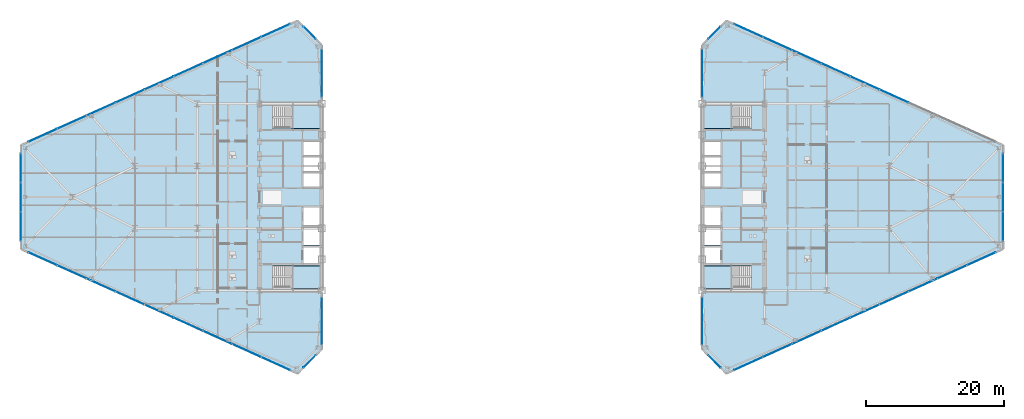
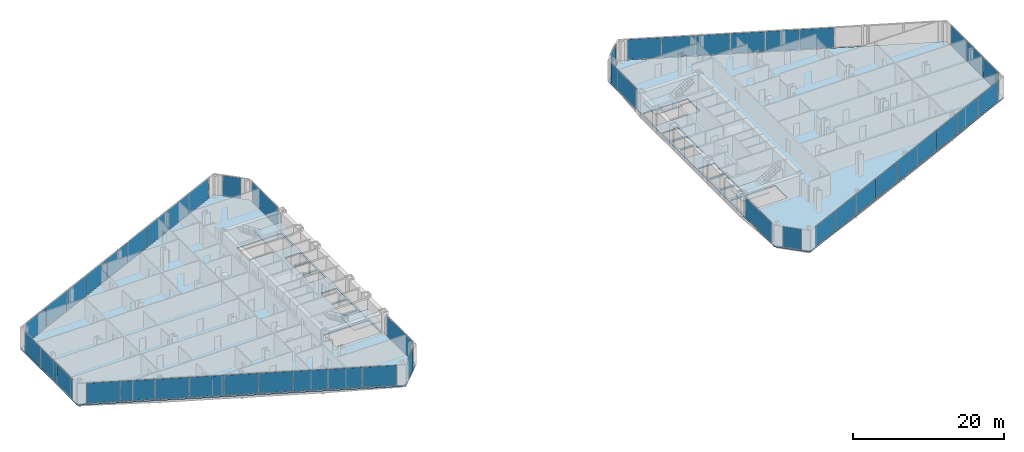
# One storey, part 17 of 27: 47 plates, 6 slabs, 18 elements without a shape of their own.
"""IFC4 building model written with IfcOpenShell, lengths in metres."""

from ifc_helpers import new_model, si_unit, direction, frame, origin, origin_2d, place, context, subcontext, project, spatial, polyline, rectangle, outline, extrude, source, transform, mapped, material, layer, layer_set, type_object, type_shapes, element, aggregate, save


model = new_model("IFC4")

# Units and contexts
model_context = context("Model", 3, precision=1e-05, world=origin(), true_north=direction((0.0, 1.0)))
body_context = subcontext(model_context, "Body", "Model", "MODEL_VIEW")
ifc_project = project(units=[si_unit("LENGTHUNIT", "METRE"), si_unit("AREAUNIT", "SQUARE_METRE"), si_unit("VOLUMEUNIT", "CUBIC_METRE"), si_unit("PLANEANGLEUNIT", "RADIAN"), si_unit("MASSUNIT", "GRAM", prefix="KILO")], contexts=[model_context])

# Site, building, storey
site_placement = place(None, origin())
site = spatial("IfcSite", under=ifc_project, at=site_placement, CompositionType="ELEMENT")
building_placement = place(site_placement, origin())
building = spatial("IfcBuilding", under=site, at=building_placement, Name="Seokmaru Belvedere", CompositionType="ELEMENT")
storey_placement = place(building_placement, frame((0.0, 0.0, 103.199951171875)))
storey = spatial("IfcBuildingStorey", under=building, at=storey_placement, Name="L27", CompositionType="ELEMENT", Elevation=103.199951171875)

# Stair, slab
ifc_material_1 = material(Name="Concrete C40 (40 MPa)", Category="concrete")
stair_type = type_object("IfcStairType", Name="Typical Tower Core Dog-Leg Stair 3600", PredefinedType="TWO_STRAIGHT_RUN_STAIR", material=ifc_material_1)
stair_1_placement = place(storey_placement, origin())
stair_1 = element("IfcStair", 1, at=stair_1_placement, inside=storey, type_object=stair_type, Name="L27 Special Escape Stair ST-W1", PredefinedType="TWO_STRAIGHT_RUN_STAIR")
ifc_layer_1 = layer(ifc_material_1, 0.199951171875)
ifc_layer_set_1 = layer_set([ifc_layer_1], Name="Concrete C40 (40 MPa)")
slab_type_1 = type_object("IfcSlabType", Name="Reinforced Concrete Stair Landing Slab 200", PredefinedType="LANDING", material=ifc_layer_set_1)
slab_1_placement = place(storey_placement, frame((0.0, 0.0, 1.60009765625)))
slab_1 = element("IfcSlab", 2, at=slab_1_placement, type_object=slab_type_1, Name="ST-W1 landing 1", PredefinedType="LANDING", context=body_context, shape_type="SweptSolid", body=[
    extrude(outline(polyline([(-31.8798828125, -13.239990234375), (-27.760009765625, -13.239990234375), (-27.760009765625, -9.949951171875), (-31.8798828125, -9.949951171875), (-31.8798828125, -13.239990234375)])), origin(), (0.0, 0.0, 1.0), 0.199951171875),
])
aggregate(stair_1, [slab_1])

stair_2_placement = place(storey_placement, origin())
stair_2 = element("IfcStair", 3, at=stair_2_placement, inside=storey, type_object=stair_type, Name="L27 Special Escape Stair ST-W2", PredefinedType="TWO_STRAIGHT_RUN_STAIR")
slab_2_placement = place(storey_placement, frame((0.0, 0.0, 1.60009765625)))
slab_2 = element("IfcSlab", 4, at=slab_2_placement, type_object=slab_type_1, Name="ST-W2 landing 1", PredefinedType="LANDING", context=body_context, shape_type="SweptSolid", body=[
    extrude(outline(polyline([(-31.8798828125, 9.949951171875), (-27.760009765625, 9.949951171875), (-27.760009765625, 13.239990234375), (-31.8798828125, 13.239990234375), (-31.8798828125, 9.949951171875)])), origin(), (0.0, 0.0, 1.0), 0.199951171875),
])
aggregate(stair_2, [slab_2])

stair_3_placement = place(storey_placement, origin())
stair_3 = element("IfcStair", 5, at=stair_3_placement, inside=storey, type_object=stair_type, Name="L27 Special Escape Stair ST-E1", PredefinedType="TWO_STRAIGHT_RUN_STAIR")
slab_3_placement = place(storey_placement, frame((0.0, 0.0, 1.60009765625)))
slab_3 = element("IfcSlab", 6, at=slab_3_placement, type_object=slab_type_1, Name="ST-E1 landing 1", PredefinedType="LANDING", context=body_context, shape_type="SweptSolid", body=[
    extrude(outline(polyline([(27.760009765625, -13.239990234375), (31.8798828125, -13.239990234375), (31.8798828125, -9.949951171875), (27.760009765625, -9.949951171875), (27.760009765625, -13.239990234375)])), origin(), (0.0, 0.0, 1.0), 0.199951171875),
])
aggregate(stair_3, [slab_3])

stair_4_placement = place(storey_placement, origin())
stair_4 = element("IfcStair", 7, at=stair_4_placement, inside=storey, type_object=stair_type, Name="L27 Special Escape Stair ST-E2", PredefinedType="TWO_STRAIGHT_RUN_STAIR")
slab_4_placement = place(storey_placement, frame((0.0, 0.0, 1.60009765625)))
slab_4 = element("IfcSlab", 8, at=slab_4_placement, type_object=slab_type_1, Name="ST-E2 landing 1", PredefinedType="LANDING", context=body_context, shape_type="SweptSolid", body=[
    extrude(outline(polyline([(27.760009765625, 9.949951171875), (31.8798828125, 9.949951171875), (31.8798828125, 13.239990234375), (27.760009765625, 13.239990234375), (27.760009765625, 9.949951171875)])), origin(), (0.0, 0.0, 1.0), 0.199951171875),
])
aggregate(stair_4, [slab_4])

# Slabs
ifc_layer_2 = layer(ifc_material_1, 0.219970703125)
ifc_layer_set_2 = layer_set([ifc_layer_2], Name="Concrete C40 (40 MPa)")
slab_type_2 = type_object("IfcSlabType", Name="Typical Tower Composite Floor Slab 220", PredefinedType="FLOOR", material=ifc_layer_set_2)
slab_5_placement = place(storey_placement, frame((0.0, 0.0, -0.219970703125)))
element("IfcSlab", 9, at=slab_5_placement, inside=storey, type_object=slab_type_2, Name="L27 West Leg Floor Slab", PredefinedType="FLOOR", context=body_context, shape_type="SweptSolid", body=[
    extrude(outline(polyline([(-27.5, -22.0), (-27.5, 22.0), (-31.0, 25.5), (-71.0, 7.5), (-71.0, -7.5), (-31.0, -25.5), (-27.5, -22.0)]), holes=[polyline([(-34.60009765625, -13.25), (-27.75, -13.25), (-27.75, -9.949951171875), (-34.60009765625, -9.949951171875), (-34.60009765625, -13.25)]), polyline([(-34.60009765625, 9.949951171875), (-27.75, 9.949951171875), (-27.75, 13.25), (-34.60009765625, 13.25), (-34.60009765625, 9.949951171875)]), polyline([(-30.14990234375, -9.550048828125), (-27.75, -9.550048828125), (-27.75, -7.25), (-30.14990234375, -7.25), (-30.14990234375, -9.550048828125)]), polyline([(-30.14990234375, -6.949951171875), (-27.75, -6.949951171875), (-27.75, -4.35009765625), (-30.14990234375, -4.35009765625), (-30.14990234375, -6.949951171875)]), polyline([(-30.14990234375, -4.050048828125), (-27.75, -4.050048828125), (-27.75, -1.449951171875), (-30.14990234375, -1.449951171875), (-30.14990234375, -4.050048828125)]), polyline([(-30.14990234375, 1.449951171875), (-27.75, 1.449951171875), (-27.75, 3.449951171875), (-30.14990234375, 3.449951171875), (-30.14990234375, 1.449951171875)]), polyline([(-30.14990234375, 3.75), (-27.75, 3.75), (-27.75, 5.75), (-30.14990234375, 5.75), (-30.14990234375, 3.75)]), polyline([(-30.14990234375, 6.050048828125), (-27.75, 6.050048828125), (-27.75, 8.050048828125), (-30.14990234375, 8.050048828125), (-30.14990234375, 6.050048828125)])]), origin(), (0.0, 0.0, 1.0), 0.219970703125),
])
slab_6_placement = place(storey_placement, frame((0.0, 0.0, -0.219970703125)))
element("IfcSlab", 10, at=slab_6_placement, inside=storey, type_object=slab_type_2, Name="L27 East Leg Floor Slab", PredefinedType="FLOOR", context=body_context, shape_type="SweptSolid", body=[
    extrude(outline(polyline([(31.0, -25.5), (71.0, -7.5), (71.0, 7.5), (31.0, 25.5), (27.5, 22.0), (27.5, -22.0), (31.0, -25.5)]), holes=[polyline([(27.75, -13.25), (34.60009765625, -13.25), (34.60009765625, -9.949951171875), (27.75, -9.949951171875), (27.75, -13.25)]), polyline([(27.75, 9.949951171875), (34.60009765625, 9.949951171875), (34.60009765625, 13.25), (27.75, 13.25), (27.75, 9.949951171875)]), polyline([(27.75, -9.550048828125), (30.14990234375, -9.550048828125), (30.14990234375, -7.25), (27.75, -7.25), (27.75, -9.550048828125)]), polyline([(27.75, -6.949951171875), (30.14990234375, -6.949951171875), (30.14990234375, -4.35009765625), (27.75, -4.35009765625), (27.75, -6.949951171875)]), polyline([(27.75, -4.050048828125), (30.14990234375, -4.050048828125), (30.14990234375, -1.449951171875), (27.75, -1.449951171875), (27.75, -4.050048828125)]), polyline([(27.75, 1.449951171875), (30.14990234375, 1.449951171875), (30.14990234375, 3.449951171875), (27.75, 3.449951171875), (27.75, 1.449951171875)]), polyline([(27.75, 3.75), (30.14990234375, 3.75), (30.14990234375, 5.75), (27.75, 5.75), (27.75, 3.75)]), polyline([(27.75, 6.050048828125), (30.14990234375, 6.050048828125), (30.14990234375, 8.050048828125), (27.75, 8.050048828125), (27.75, 6.050048828125)])]), origin(), (0.0, 0.0, 1.0), 0.219970703125),
])

# Curtain wall, plate
ifc_material_2 = material(Name="Bronze Triple Insulating Glass", Category="glass")
ifc_layer_3 = layer(ifc_material_2, 0.195068359375)
ifc_layer_set_3 = layer_set([ifc_layer_3], Name="Bronze Triple Insulating Glass")
curtain_wall_type = type_object("IfcCurtainWallType", Name="Lower-Mid Tapered Curtain Wall System CW-3", PredefinedType="NOTDEFINED", material=ifc_layer_set_3)
curtain_wall_1_placement = place(storey_placement, origin())
curtain_wall_1 = element("IfcCurtainWall", 11, at=curtain_wall_1_placement, inside=storey, type_object=curtain_wall_type, Name="L27 Curtain Wall WSP_1", PredefinedType="NOTDEFINED")
ifc_layer_4 = layer(ifc_material_2, 0.035888671875)
ifc_layer_set_4 = layer_set([ifc_layer_4], Name="Bronze Triple Insulating Glass")
plate_type = type_object("IfcPlateType", Name="Bronze Triple Vision Glazing Panel 36", PredefinedType="CURTAIN_PANEL", material=ifc_layer_set_4)
shared_shape_1 = source(origin(), body_context, "Body", "SweptSolid", [
    extrude(rectangle(XDim=6.909912109375, YDim=0.035888671875, at=origin_2d()), origin(), (0.0, 0.0, 1.0), 3.239990234375),
])
plate_1_placement = place(storey_placement, frame((-27.5, -17.905029296875, 0.06982421875), z_axis=(0.0, 0.0, 1.0), x_axis=(0.0, 1.0, 0.0)))
plate_1 = element("IfcPlate", 12, at=plate_1_placement, type_object=plate_type, Name="CW:L27:WSP_1 Glazing Panel 1-1", PredefinedType="CURTAIN_PANEL", context=body_context, shape_type="MappedRepresentation", body=[
    mapped(shared_shape_1, transform((0.0, 0.0, 0.0), scale=1.0)),
])
aggregate(curtain_wall_1, [plate_1])

curtain_wall_2_placement = place(storey_placement, origin())
curtain_wall_2 = element("IfcCurtainWall", 13, at=curtain_wall_2_placement, inside=storey, type_object=curtain_wall_type, Name="L27 Curtain Wall WSP_2", PredefinedType="NOTDEFINED")
plate_2_placement = place(storey_placement, frame((-27.5, 17.905029296875, 0.06982421875), z_axis=(0.0, 0.0, 1.0), x_axis=(0.0, 1.0, 0.0)))
plate_2 = element("IfcPlate", 14, at=plate_2_placement, type_object=plate_type, Name="CW:L27:WSP_2 Glazing Panel 1-1", PredefinedType="CURTAIN_PANEL", context=body_context, shape_type="MappedRepresentation", body=[
    mapped(shared_shape_1, transform((0.0, 0.0, 0.0), scale=1.0)),
])
aggregate(curtain_wall_2, [plate_2])

curtain_wall_3_placement = place(storey_placement, origin())
curtain_wall_3 = element("IfcCurtainWall", 15, at=curtain_wall_3_placement, inside=storey, type_object=curtain_wall_type, Name="L27 Curtain Wall ESP_1", PredefinedType="NOTDEFINED")
plate_3_placement = place(storey_placement, frame((27.5, -17.905029296875, 0.06982421875), z_axis=(0.0, 0.0, 1.0), x_axis=(0.0, -1.0, 0.0)))
plate_3 = element("IfcPlate", 16, at=plate_3_placement, type_object=plate_type, Name="CW:L27:ESP_1 Glazing Panel 1-1", PredefinedType="CURTAIN_PANEL", context=body_context, shape_type="MappedRepresentation", body=[
    mapped(shared_shape_1, transform((0.0, 0.0, 0.0), scale=1.0)),
])
aggregate(curtain_wall_3, [plate_3])

curtain_wall_4_placement = place(storey_placement, origin())
curtain_wall_4 = element("IfcCurtainWall", 17, at=curtain_wall_4_placement, inside=storey, type_object=curtain_wall_type, Name="L27 Curtain Wall ESP_2", PredefinedType="NOTDEFINED")
plate_4_placement = place(storey_placement, frame((27.5, 17.905029296875, 0.06982421875), z_axis=(0.0, 0.0, 1.0), x_axis=(0.0, -1.0, 0.0)))
plate_4 = element("IfcPlate", 18, at=plate_4_placement, type_object=plate_type, Name="CW:L27:ESP_2 Glazing Panel 1-1", PredefinedType="CURTAIN_PANEL", context=body_context, shape_type="MappedRepresentation", body=[
    mapped(shared_shape_1, transform((0.0, 0.0, 0.0), scale=1.0)),
])
aggregate(curtain_wall_4, [plate_4])

curtain_wall_5_placement = place(storey_placement, origin())
curtain_wall_5 = element("IfcCurtainWall", 19, at=curtain_wall_5_placement, inside=storey, type_object=curtain_wall_type, Name="L27 Curtain Wall WF2", PredefinedType="NOTDEFINED")
shared_shape_2 = source(origin(), body_context, "Body", "SweptSolid", [
    extrude(rectangle(XDim=2.509765625, YDim=0.035888671875, at=origin_2d()), origin(), (0.0, 0.0, 1.0), 3.239990234375),
])
plate_5_placement = place(storey_placement, frame((-29.25, 23.75, 0.06982421875), z_axis=(0.0, 0.0, 1.0), x_axis=(-0.707106781187, 0.707106781187, 0.0)))
plate_5 = element("IfcPlate", 20, at=plate_5_placement, type_object=plate_type, Name="CW:L27:WF2 Glazing Panel 1-1", PredefinedType="CURTAIN_PANEL", context=body_context, shape_type="MappedRepresentation", body=[
    mapped(shared_shape_2, transform((0.0, 0.0, 0.0), scale=1.0)),
])
aggregate(curtain_wall_5, [plate_5])

curtain_wall_6_placement = place(storey_placement, origin())
curtain_wall_6 = element("IfcCurtainWall", 21, at=curtain_wall_6_placement, inside=storey, type_object=curtain_wall_type, Name="L27 Curtain Wall WF6", PredefinedType="NOTDEFINED")
plate_6_placement = place(storey_placement, frame((-29.25, -23.75, 0.06982421875), z_axis=(0.0, 0.0, 1.0), x_axis=(0.707106781187, 0.707106781187, 0.0)))
plate_6 = element("IfcPlate", 22, at=plate_6_placement, type_object=plate_type, Name="CW:L27:WF6 Glazing Panel 1-1", PredefinedType="CURTAIN_PANEL", context=body_context, shape_type="MappedRepresentation", body=[
    mapped(shared_shape_2, transform((0.0, 0.0, 0.0), scale=1.0)),
])
aggregate(curtain_wall_6, [plate_6])

curtain_wall_7_placement = place(storey_placement, origin())
curtain_wall_7 = element("IfcCurtainWall", 23, at=curtain_wall_7_placement, inside=storey, type_object=curtain_wall_type, Name="L27 Curtain Wall EF4", PredefinedType="NOTDEFINED")
plate_7_placement = place(storey_placement, frame((29.25, 23.75, 0.06982421875), z_axis=(0.0, 0.0, 1.0), x_axis=(-0.707106781187, -0.707106781187, 0.0)))
plate_7 = element("IfcPlate", 24, at=plate_7_placement, type_object=plate_type, Name="CW:L27:EF4 Glazing Panel 1-1", PredefinedType="CURTAIN_PANEL", context=body_context, shape_type="MappedRepresentation", body=[
    mapped(shared_shape_2, transform((0.0, 0.0, 0.0), scale=1.0)),
])
aggregate(curtain_wall_7, [plate_7])

curtain_wall_8_placement = place(storey_placement, origin())
curtain_wall_8 = element("IfcCurtainWall", 25, at=curtain_wall_8_placement, inside=storey, type_object=curtain_wall_type, Name="L27 Curtain Wall EF6", PredefinedType="NOTDEFINED")
plate_8_placement = place(storey_placement, frame((29.25, -23.75, 0.06982421875), z_axis=(0.0, 0.0, 1.0), x_axis=(0.707106781187, -0.707106781187, 0.0)))
plate_8 = element("IfcPlate", 26, at=plate_8_placement, type_object=plate_type, Name="CW:L27:EF6 Glazing Panel 1-1", PredefinedType="CURTAIN_PANEL", context=body_context, shape_type="MappedRepresentation", body=[
    mapped(shared_shape_2, transform((0.0, 0.0, 0.0), scale=1.0)),
])
aggregate(curtain_wall_8, [plate_8])

# Curtain wall, plates
curtain_wall_9_placement = place(storey_placement, origin())
curtain_wall_9 = element("IfcCurtainWall", 27, at=curtain_wall_9_placement, inside=storey, type_object=curtain_wall_type, Name="L27 Curtain Wall WF3", PredefinedType="NOTDEFINED")
shared_shape_3 = source(origin(), body_context, "Body", "SweptSolid", [
    extrude(rectangle(XDim=4.51318359375, YDim=0.035888671875, at=origin_2d()), origin(), (0.0, 0.0, 1.0), 3.239990234375),
])
plate_9_placement = place(storey_placement, frame((-34.17041015625, 24.073486328125, 0.06982421875), z_axis=(0.0, 0.0, 1.0), x_axis=(-0.91192111353, -0.41036554765, 0.0)))
plate_9 = element("IfcPlate", 28, at=plate_9_placement, type_object=plate_type, Name="CW:L27:WF3 Glazing Panel 1-1", PredefinedType="CURTAIN_PANEL", context=body_context, shape_type="MappedRepresentation", body=[
    mapped(shared_shape_3, transform((0.0, 0.0, 0.0), scale=1.0)),
])
plate_10_placement = place(storey_placement, frame((-67.82958984375, 8.926513671875, 0.06982421875), z_axis=(0.0, 0.0, 1.0), x_axis=(-0.91192111353, -0.41036554765, 0.0)))
plate_10 = element("IfcPlate", 29, at=plate_10_placement, type_object=plate_type, Name="CW:L27:WF3 Glazing Panel 9-1", PredefinedType="CURTAIN_PANEL", context=body_context, shape_type="MappedRepresentation", body=[
    mapped(shared_shape_3, transform((0.0, 0.0, 0.0), scale=1.0)),
])

curtain_wall_10_placement = place(storey_placement, origin())
curtain_wall_10 = element("IfcCurtainWall", 30, at=curtain_wall_10_placement, inside=storey, type_object=curtain_wall_type, Name="L27 Curtain Wall WF5", PredefinedType="NOTDEFINED")
plate_11_placement = place(storey_placement, frame((-67.82958984375, -8.926513671875, 0.06982421875), z_axis=(0.0, 0.0, 1.0), x_axis=(0.91192111353, -0.41036554765, 0.0)))
plate_11 = element("IfcPlate", 31, at=plate_11_placement, type_object=plate_type, Name="CW:L27:WF5 Glazing Panel 1-1", PredefinedType="CURTAIN_PANEL", context=body_context, shape_type="MappedRepresentation", body=[
    mapped(shared_shape_3, transform((0.0, 0.0, 0.0), scale=1.0)),
])
plate_12_placement = place(storey_placement, frame((-34.17041015625, -24.073486328125, 0.06982421875), z_axis=(0.0, 0.0, 1.0), x_axis=(0.91192111353, -0.41036554765, 0.0)))
plate_12 = element("IfcPlate", 32, at=plate_12_placement, type_object=plate_type, Name="CW:L27:WF5 Glazing Panel 9-1", PredefinedType="CURTAIN_PANEL", context=body_context, shape_type="MappedRepresentation", body=[
    mapped(shared_shape_3, transform((0.0, 0.0, 0.0), scale=1.0)),
])

curtain_wall_11_placement = place(storey_placement, origin())
curtain_wall_11 = element("IfcCurtainWall", 33, at=curtain_wall_11_placement, inside=storey, type_object=curtain_wall_type, Name="L27 Curtain Wall EF1", PredefinedType="NOTDEFINED")
plate_13_placement = place(storey_placement, frame((34.17041015625, -24.073486328125, 0.06982421875), z_axis=(0.0, 0.0, 1.0), x_axis=(0.91192111353, 0.41036554765, 0.0)))
plate_13 = element("IfcPlate", 34, at=plate_13_placement, type_object=plate_type, Name="CW:L27:EF1 Glazing Panel 1-1", PredefinedType="CURTAIN_PANEL", context=body_context, shape_type="MappedRepresentation", body=[
    mapped(shared_shape_3, transform((0.0, 0.0, 0.0), scale=1.0)),
])
plate_14_placement = place(storey_placement, frame((67.82958984375, -8.926513671875, 0.06982421875), z_axis=(0.0, 0.0, 1.0), x_axis=(0.91192111353, 0.41036554765, 0.0)))
plate_14 = element("IfcPlate", 35, at=plate_14_placement, type_object=plate_type, Name="CW:L27:EF1 Glazing Panel 9-1", PredefinedType="CURTAIN_PANEL", context=body_context, shape_type="MappedRepresentation", body=[
    mapped(shared_shape_3, transform((0.0, 0.0, 0.0), scale=1.0)),
])

# Curtain wall, plate
curtain_wall_12_placement = place(storey_placement, origin())
curtain_wall_12 = element("IfcCurtainWall", 36, at=curtain_wall_12_placement, inside=storey, type_object=curtain_wall_type, Name="L27 Curtain Wall EF3", PredefinedType="NOTDEFINED")
plate_15_placement = place(storey_placement, frame((34.17041015625, 24.073486328125, 0.06982421875), z_axis=(0.0, 0.0, 1.0), x_axis=(-0.91192111353, 0.41036554765, 0.0)))
plate_15 = element("IfcPlate", 37, at=plate_15_placement, type_object=plate_type, Name="CW:L27:EF3 Glazing Panel 9-1", PredefinedType="CURTAIN_PANEL", context=body_context, shape_type="MappedRepresentation", body=[
    mapped(shared_shape_3, transform((0.0, 0.0, 0.0), scale=1.0)),
])

# Plate
shared_shape_4 = source(origin(), body_context, "Body", "SweptSolid", [
    extrude(rectangle(XDim=4.548095703125, YDim=0.035888671875, at=origin_2d()), origin(), (0.0, 0.0, 1.0), 3.239990234375),
])
plate_16_placement = place(storey_placement, frame((-38.36572265625, 22.185302734375, 0.06982421875), z_axis=(0.0, 0.0, 1.0), x_axis=(-0.91192111353, -0.41036554765, 0.0)))
plate_16 = element("IfcPlate", 38, at=plate_16_placement, type_object=plate_type, Name="CW:L27:WF3 Glazing Panel 2-1", PredefinedType="CURTAIN_PANEL", context=body_context, shape_type="MappedRepresentation", body=[
    mapped(shared_shape_4, transform((0.0, 0.0, 0.0), scale=1.0)),
])

plate_17_placement = place(storey_placement, frame((-42.5771484375, 20.290283203125, 0.06982421875), z_axis=(0.0, 0.0, 1.0), x_axis=(-0.91192111353, -0.41036554765, 0.0)))
plate_17 = element("IfcPlate", 39, at=plate_17_placement, type_object=plate_type, Name="CW:L27:WF3 Glazing Panel 3-1", PredefinedType="CURTAIN_PANEL", context=body_context, shape_type="MappedRepresentation", body=[
    mapped(shared_shape_4, transform((0.0, 0.0, 0.0), scale=1.0)),
])

plate_18_placement = place(storey_placement, frame((-46.78857421875, 18.39501953125, 0.06982421875), z_axis=(0.0, 0.0, 1.0), x_axis=(-0.91192111353, -0.41036554765, 0.0)))
plate_18 = element("IfcPlate", 40, at=plate_18_placement, type_object=plate_type, Name="CW:L27:WF3 Glazing Panel 4-1", PredefinedType="CURTAIN_PANEL", context=body_context, shape_type="MappedRepresentation", body=[
    mapped(shared_shape_4, transform((0.0, 0.0, 0.0), scale=1.0)),
])

plate_19_placement = place(storey_placement, frame((-51.0, 16.5, 0.06982421875), z_axis=(0.0, 0.0, 1.0), x_axis=(-0.91192111353, -0.41036554765, 0.0)))
plate_19 = element("IfcPlate", 41, at=plate_19_placement, type_object=plate_type, Name="CW:L27:WF3 Glazing Panel 5-1", PredefinedType="CURTAIN_PANEL", context=body_context, shape_type="MappedRepresentation", body=[
    mapped(shared_shape_4, transform((0.0, 0.0, 0.0), scale=1.0)),
])

plate_20_placement = place(storey_placement, frame((-55.21142578125, 14.60498046875, 0.06982421875), z_axis=(0.0, 0.0, 1.0), x_axis=(-0.91192111353, -0.41036554765, 0.0)))
plate_20 = element("IfcPlate", 42, at=plate_20_placement, type_object=plate_type, Name="CW:L27:WF3 Glazing Panel 6-1", PredefinedType="CURTAIN_PANEL", context=body_context, shape_type="MappedRepresentation", body=[
    mapped(shared_shape_4, transform((0.0, 0.0, 0.0), scale=1.0)),
])

plate_21_placement = place(storey_placement, frame((-59.4228515625, 12.709716796875, 0.06982421875), z_axis=(0.0, 0.0, 1.0), x_axis=(-0.91192111353, -0.41036554765, 0.0)))
plate_21 = element("IfcPlate", 43, at=plate_21_placement, type_object=plate_type, Name="CW:L27:WF3 Glazing Panel 7-1", PredefinedType="CURTAIN_PANEL", context=body_context, shape_type="MappedRepresentation", body=[
    mapped(shared_shape_4, transform((0.0, 0.0, 0.0), scale=1.0)),
])

plate_22_placement = place(storey_placement, frame((-63.63427734375, 10.814697265625, 0.06982421875), z_axis=(0.0, 0.0, 1.0), x_axis=(-0.91192111353, -0.41036554765, 0.0)))
plate_22 = element("IfcPlate", 44, at=plate_22_placement, type_object=plate_type, Name="CW:L27:WF3 Glazing Panel 8-1", PredefinedType="CURTAIN_PANEL", context=body_context, shape_type="MappedRepresentation", body=[
    mapped(shared_shape_4, transform((0.0, 0.0, 0.0), scale=1.0)),
])

aggregate(curtain_wall_9, [plate_9, plate_16, plate_17, plate_18, plate_19, plate_20, plate_21, plate_22, plate_10])

plate_23_placement = place(storey_placement, frame((-63.63427734375, -10.814697265625, 0.06982421875), z_axis=(0.0, 0.0, 1.0), x_axis=(0.91192111353, -0.41036554765, 0.0)))
plate_23 = element("IfcPlate", 45, at=plate_23_placement, type_object=plate_type, Name="CW:L27:WF5 Glazing Panel 2-1", PredefinedType="CURTAIN_PANEL", context=body_context, shape_type="MappedRepresentation", body=[
    mapped(shared_shape_4, transform((0.0, 0.0, 0.0), scale=1.0)),
])

plate_24_placement = place(storey_placement, frame((-59.4228515625, -12.709716796875, 0.06982421875), z_axis=(0.0, 0.0, 1.0), x_axis=(0.91192111353, -0.41036554765, 0.0)))
plate_24 = element("IfcPlate", 46, at=plate_24_placement, type_object=plate_type, Name="CW:L27:WF5 Glazing Panel 3-1", PredefinedType="CURTAIN_PANEL", context=body_context, shape_type="MappedRepresentation", body=[
    mapped(shared_shape_4, transform((0.0, 0.0, 0.0), scale=1.0)),
])

plate_25_placement = place(storey_placement, frame((-55.21142578125, -14.60498046875, 0.06982421875), z_axis=(0.0, 0.0, 1.0), x_axis=(0.91192111353, -0.41036554765, 0.0)))
plate_25 = element("IfcPlate", 47, at=plate_25_placement, type_object=plate_type, Name="CW:L27:WF5 Glazing Panel 4-1", PredefinedType="CURTAIN_PANEL", context=body_context, shape_type="MappedRepresentation", body=[
    mapped(shared_shape_4, transform((0.0, 0.0, 0.0), scale=1.0)),
])

plate_26_placement = place(storey_placement, frame((-51.0, -16.5, 0.06982421875), z_axis=(0.0, 0.0, 1.0), x_axis=(0.91192111353, -0.41036554765, 0.0)))
plate_26 = element("IfcPlate", 48, at=plate_26_placement, type_object=plate_type, Name="CW:L27:WF5 Glazing Panel 5-1", PredefinedType="CURTAIN_PANEL", context=body_context, shape_type="MappedRepresentation", body=[
    mapped(shared_shape_4, transform((0.0, 0.0, 0.0), scale=1.0)),
])

plate_27_placement = place(storey_placement, frame((-46.78857421875, -18.39501953125, 0.06982421875), z_axis=(0.0, 0.0, 1.0), x_axis=(0.91192111353, -0.41036554765, 0.0)))
plate_27 = element("IfcPlate", 49, at=plate_27_placement, type_object=plate_type, Name="CW:L27:WF5 Glazing Panel 6-1", PredefinedType="CURTAIN_PANEL", context=body_context, shape_type="MappedRepresentation", body=[
    mapped(shared_shape_4, transform((0.0, 0.0, 0.0), scale=1.0)),
])

plate_28_placement = place(storey_placement, frame((-42.5771484375, -20.290283203125, 0.06982421875), z_axis=(0.0, 0.0, 1.0), x_axis=(0.91192111353, -0.41036554765, 0.0)))
plate_28 = element("IfcPlate", 50, at=plate_28_placement, type_object=plate_type, Name="CW:L27:WF5 Glazing Panel 7-1", PredefinedType="CURTAIN_PANEL", context=body_context, shape_type="MappedRepresentation", body=[
    mapped(shared_shape_4, transform((0.0, 0.0, 0.0), scale=1.0)),
])

plate_29_placement = place(storey_placement, frame((-38.36572265625, -22.185302734375, 0.06982421875), z_axis=(0.0, 0.0, 1.0), x_axis=(0.91192111353, -0.41036554765, 0.0)))
plate_29 = element("IfcPlate", 51, at=plate_29_placement, type_object=plate_type, Name="CW:L27:WF5 Glazing Panel 8-1", PredefinedType="CURTAIN_PANEL", context=body_context, shape_type="MappedRepresentation", body=[
    mapped(shared_shape_4, transform((0.0, 0.0, 0.0), scale=1.0)),
])

aggregate(curtain_wall_10, [plate_11, plate_23, plate_24, plate_25, plate_26, plate_27, plate_28, plate_29, plate_12])

plate_30_placement = place(storey_placement, frame((38.36572265625, -22.185302734375, 0.06982421875), z_axis=(0.0, 0.0, 1.0), x_axis=(0.91192111353, 0.41036554765, 0.0)))
plate_30 = element("IfcPlate", 52, at=plate_30_placement, type_object=plate_type, Name="CW:L27:EF1 Glazing Panel 2-1", PredefinedType="CURTAIN_PANEL", context=body_context, shape_type="MappedRepresentation", body=[
    mapped(shared_shape_4, transform((0.0, 0.0, 0.0), scale=1.0)),
])

plate_31_placement = place(storey_placement, frame((42.5771484375, -20.290283203125, 0.06982421875), z_axis=(0.0, 0.0, 1.0), x_axis=(0.91192111353, 0.41036554765, 0.0)))
plate_31 = element("IfcPlate", 53, at=plate_31_placement, type_object=plate_type, Name="CW:L27:EF1 Glazing Panel 3-1", PredefinedType="CURTAIN_PANEL", context=body_context, shape_type="MappedRepresentation", body=[
    mapped(shared_shape_4, transform((0.0, 0.0, 0.0), scale=1.0)),
])

plate_32_placement = place(storey_placement, frame((46.78857421875, -18.39501953125, 0.06982421875), z_axis=(0.0, 0.0, 1.0), x_axis=(0.91192111353, 0.41036554765, 0.0)))
plate_32 = element("IfcPlate", 54, at=plate_32_placement, type_object=plate_type, Name="CW:L27:EF1 Glazing Panel 4-1", PredefinedType="CURTAIN_PANEL", context=body_context, shape_type="MappedRepresentation", body=[
    mapped(shared_shape_4, transform((0.0, 0.0, 0.0), scale=1.0)),
])

plate_33_placement = place(storey_placement, frame((51.0, -16.5, 0.06982421875), z_axis=(0.0, 0.0, 1.0), x_axis=(0.91192111353, 0.41036554765, 0.0)))
plate_33 = element("IfcPlate", 55, at=plate_33_placement, type_object=plate_type, Name="CW:L27:EF1 Glazing Panel 5-1", PredefinedType="CURTAIN_PANEL", context=body_context, shape_type="MappedRepresentation", body=[
    mapped(shared_shape_4, transform((0.0, 0.0, 0.0), scale=1.0)),
])

plate_34_placement = place(storey_placement, frame((55.21142578125, -14.60498046875, 0.06982421875), z_axis=(0.0, 0.0, 1.0), x_axis=(0.91192111353, 0.41036554765, 0.0)))
plate_34 = element("IfcPlate", 56, at=plate_34_placement, type_object=plate_type, Name="CW:L27:EF1 Glazing Panel 6-1", PredefinedType="CURTAIN_PANEL", context=body_context, shape_type="MappedRepresentation", body=[
    mapped(shared_shape_4, transform((0.0, 0.0, 0.0), scale=1.0)),
])

plate_35_placement = place(storey_placement, frame((59.4228515625, -12.709716796875, 0.06982421875), z_axis=(0.0, 0.0, 1.0), x_axis=(0.91192111353, 0.41036554765, 0.0)))
plate_35 = element("IfcPlate", 57, at=plate_35_placement, type_object=plate_type, Name="CW:L27:EF1 Glazing Panel 7-1", PredefinedType="CURTAIN_PANEL", context=body_context, shape_type="MappedRepresentation", body=[
    mapped(shared_shape_4, transform((0.0, 0.0, 0.0), scale=1.0)),
])

plate_36_placement = place(storey_placement, frame((63.63427734375, -10.814697265625, 0.06982421875), z_axis=(0.0, 0.0, 1.0), x_axis=(0.91192111353, 0.41036554765, 0.0)))
plate_36 = element("IfcPlate", 58, at=plate_36_placement, type_object=plate_type, Name="CW:L27:EF1 Glazing Panel 8-1", PredefinedType="CURTAIN_PANEL", context=body_context, shape_type="MappedRepresentation", body=[
    mapped(shared_shape_4, transform((0.0, 0.0, 0.0), scale=1.0)),
])

aggregate(curtain_wall_11, [plate_13, plate_30, plate_31, plate_32, plate_33, plate_34, plate_35, plate_36, plate_14])

plate_37_placement = place(storey_placement, frame((55.21142578125, 14.60498046875, 0.06982421875), z_axis=(0.0, 0.0, 1.0), x_axis=(-0.91192111353, 0.41036554765, 0.0)))
plate_37 = element("IfcPlate", 59, at=plate_37_placement, type_object=plate_type, Name="CW:L27:EF3 Glazing Panel 4-1", PredefinedType="CURTAIN_PANEL", context=body_context, shape_type="MappedRepresentation", body=[
    mapped(shared_shape_4, transform((0.0, 0.0, 0.0), scale=1.0)),
])

plate_38_placement = place(storey_placement, frame((51.0, 16.5, 0.06982421875), z_axis=(0.0, 0.0, 1.0), x_axis=(-0.91192111353, 0.41036554765, 0.0)))
plate_38 = element("IfcPlate", 60, at=plate_38_placement, type_object=plate_type, Name="CW:L27:EF3 Glazing Panel 5-1", PredefinedType="CURTAIN_PANEL", context=body_context, shape_type="MappedRepresentation", body=[
    mapped(shared_shape_4, transform((0.0, 0.0, 0.0), scale=1.0)),
])

plate_39_placement = place(storey_placement, frame((46.78857421875, 18.39501953125, 0.06982421875), z_axis=(0.0, 0.0, 1.0), x_axis=(-0.91192111353, 0.41036554765, 0.0)))
plate_39 = element("IfcPlate", 61, at=plate_39_placement, type_object=plate_type, Name="CW:L27:EF3 Glazing Panel 6-1", PredefinedType="CURTAIN_PANEL", context=body_context, shape_type="MappedRepresentation", body=[
    mapped(shared_shape_4, transform((0.0, 0.0, 0.0), scale=1.0)),
])

plate_40_placement = place(storey_placement, frame((42.5771484375, 20.290283203125, 0.06982421875), z_axis=(0.0, 0.0, 1.0), x_axis=(-0.91192111353, 0.41036554765, 0.0)))
plate_40 = element("IfcPlate", 62, at=plate_40_placement, type_object=plate_type, Name="CW:L27:EF3 Glazing Panel 7-1", PredefinedType="CURTAIN_PANEL", context=body_context, shape_type="MappedRepresentation", body=[
    mapped(shared_shape_4, transform((0.0, 0.0, 0.0), scale=1.0)),
])

plate_41_placement = place(storey_placement, frame((38.36572265625, 22.185302734375, 0.06982421875), z_axis=(0.0, 0.0, 1.0), x_axis=(-0.91192111353, 0.41036554765, 0.0)))
plate_41 = element("IfcPlate", 63, at=plate_41_placement, type_object=plate_type, Name="CW:L27:EF3 Glazing Panel 8-1", PredefinedType="CURTAIN_PANEL", context=body_context, shape_type="MappedRepresentation", body=[
    mapped(shared_shape_4, transform((0.0, 0.0, 0.0), scale=1.0)),
])

aggregate(curtain_wall_12, [plate_37, plate_38, plate_39, plate_40, plate_41, plate_15])

# Curtain wall, plates
curtain_wall_13_placement = place(storey_placement, origin())
curtain_wall_13 = element("IfcCurtainWall", 64, at=curtain_wall_13_placement, inside=storey, type_object=curtain_wall_type, Name="L27 Curtain Wall WF4", PredefinedType="NOTDEFINED")
shared_shape_5 = source(origin(), body_context, "Body", "SweptSolid", [
    extrude(rectangle(XDim=4.12841796875, YDim=0.035888671875, at=origin_2d()), origin(), (0.0, 0.0, 1.0), 3.239990234375),
])
plate_42_placement = place(storey_placement, frame((-71.0, 4.2158203125, 0.06982421875), z_axis=(0.0, 0.0, 1.0), x_axis=(0.0, -1.0, 0.0)))
plate_42 = element("IfcPlate", 65, at=plate_42_placement, type_object=plate_type, Name="CW:L27:WF4 Glazing Panel 1-1", PredefinedType="CURTAIN_PANEL", context=body_context, shape_type="MappedRepresentation", body=[
    mapped(shared_shape_5, transform((0.0, 0.0, 0.0), scale=1.0)),
])
plate_43_placement = place(storey_placement, frame((-71.0, -4.2158203125, 0.06982421875), z_axis=(0.0, 0.0, 1.0), x_axis=(0.0, -1.0, 0.0)))
plate_43 = element("IfcPlate", 66, at=plate_43_placement, type_object=plate_type, Name="CW:L27:WF4 Glazing Panel 3-1", PredefinedType="CURTAIN_PANEL", context=body_context, shape_type="MappedRepresentation", body=[
    mapped(shared_shape_5, transform((0.0, 0.0, 0.0), scale=1.0)),
])

curtain_wall_14_placement = place(storey_placement, origin())
curtain_wall_14 = element("IfcCurtainWall", 67, at=curtain_wall_14_placement, inside=storey, type_object=curtain_wall_type, Name="L27 Curtain Wall EF2", PredefinedType="NOTDEFINED")
plate_44_placement = place(storey_placement, frame((71.0, -4.2158203125, 0.06982421875), z_axis=(0.0, 0.0, 1.0), x_axis=(0.0, 1.0, 0.0)))
plate_44 = element("IfcPlate", 68, at=plate_44_placement, type_object=plate_type, Name="CW:L27:EF2 Glazing Panel 1-1", PredefinedType="CURTAIN_PANEL", context=body_context, shape_type="MappedRepresentation", body=[
    mapped(shared_shape_5, transform((0.0, 0.0, 0.0), scale=1.0)),
])
plate_45_placement = place(storey_placement, frame((71.0, 4.2158203125, 0.06982421875), z_axis=(0.0, 0.0, 1.0), x_axis=(0.0, 1.0, 0.0)))
plate_45 = element("IfcPlate", 69, at=plate_45_placement, type_object=plate_type, Name="CW:L27:EF2 Glazing Panel 3-1", PredefinedType="CURTAIN_PANEL", context=body_context, shape_type="MappedRepresentation", body=[
    mapped(shared_shape_5, transform((0.0, 0.0, 0.0), scale=1.0)),
])

# Plate
shared_shape_6 = source(origin(), body_context, "Body", "SweptSolid", [
    extrude(rectangle(XDim=4.163330078125, YDim=0.035888671875, at=origin_2d()), origin(), (0.0, 0.0, 1.0), 3.239990234375),
])
type_shapes(plate_type, [shared_shape_1, shared_shape_2, shared_shape_3, shared_shape_4, shared_shape_5, shared_shape_6])
plate_46_placement = place(storey_placement, frame((-71.0, 0.0, 0.06982421875), z_axis=(0.0, 0.0, 1.0), x_axis=(0.0, -1.0, 0.0)))
plate_46 = element("IfcPlate", 70, at=plate_46_placement, type_object=plate_type, Name="CW:L27:WF4 Glazing Panel 2-1", PredefinedType="CURTAIN_PANEL", context=body_context, shape_type="MappedRepresentation", body=[
    mapped(shared_shape_6, transform((0.0, 0.0, 0.0), scale=1.0)),
])

aggregate(curtain_wall_13, [plate_42, plate_46, plate_43])

plate_47_placement = place(storey_placement, frame((71.0, 0.0, 0.06982421875), z_axis=(0.0, 0.0, 1.0), x_axis=(0.0, 1.0, 0.0)))
plate_47 = element("IfcPlate", 71, at=plate_47_placement, type_object=plate_type, Name="CW:L27:EF2 Glazing Panel 2-1", PredefinedType="CURTAIN_PANEL", context=body_context, shape_type="MappedRepresentation", body=[
    mapped(shared_shape_6, transform((0.0, 0.0, 0.0), scale=1.0)),
])

aggregate(curtain_wall_14, [plate_44, plate_47, plate_45])

save(model, "model.ifc")
